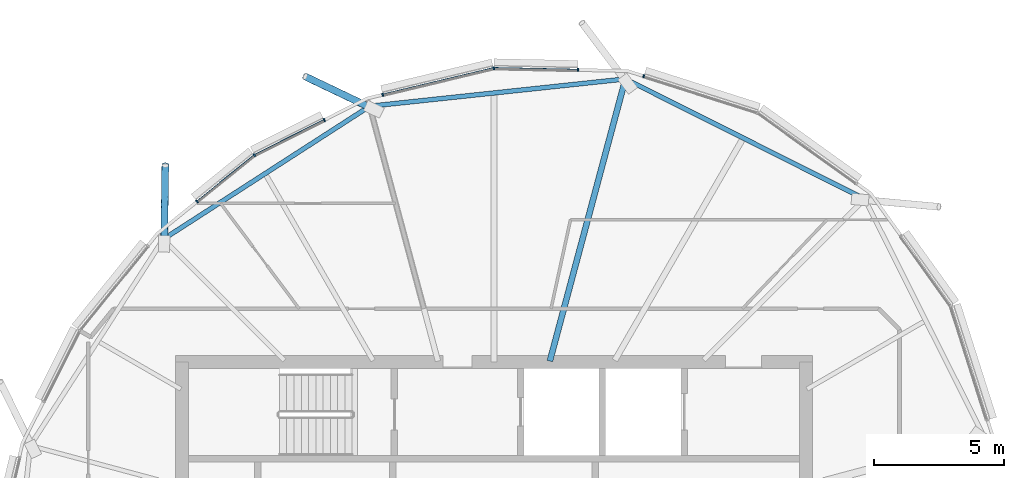
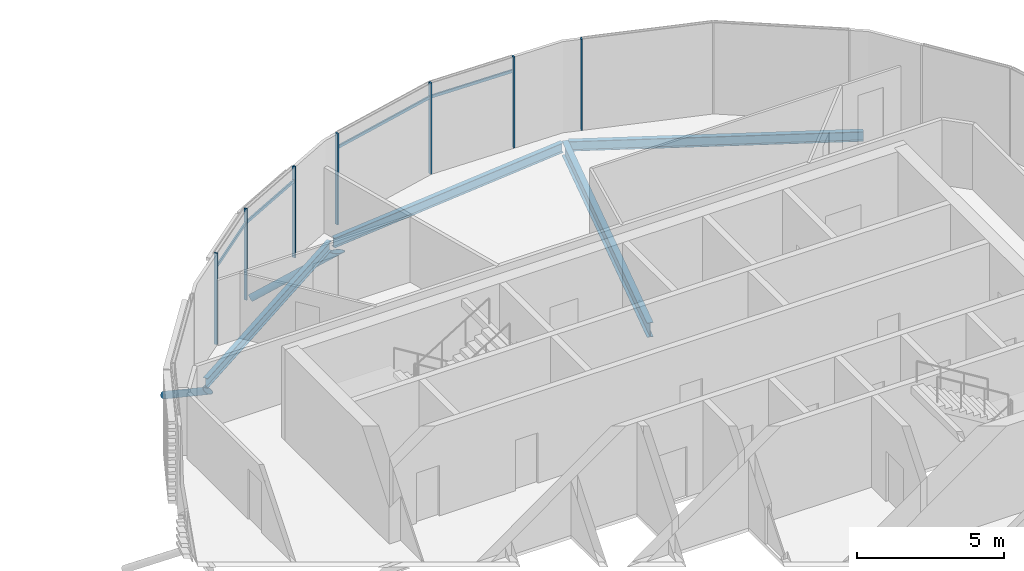
# One storey, part 14 of 33: 13 members, 4 beams, 1 element without a shape of its own.
"""IFC4 building model written with IfcOpenShell, lengths in metres."""

from ifc_helpers import new_model, si_unit, direction, frame, origin, origin_2d, place, context, subcontext, project, spatial, rectangle, hollow_circle, i_section, extrude, clip, halfspace, material, material_profile, profile_set, type_object, element, aggregate, save


model = new_model("IFC4")

# Units and contexts
model_context = context("Model", 3, precision=1e-05, world=origin(), true_north=direction((0.0, 1.0)))
body_context = subcontext(model_context, "Body", "Model", "MODEL_VIEW")
ifc_project = project(units=[si_unit("LENGTHUNIT", "METRE"), si_unit("AREAUNIT", "SQUARE_METRE"), si_unit("VOLUMEUNIT", "CUBIC_METRE"), si_unit("PLANEANGLEUNIT", "RADIAN"), si_unit("MASSUNIT", "GRAM", prefix="KILO")], contexts=[model_context])

# Site, building, storey
site_placement = place(None, origin())
site = spatial("IfcSite", under=ifc_project, at=site_placement, CompositionType="ELEMENT")
building_placement = place(site_placement, origin())
building = spatial("IfcBuilding", under=site, at=building_placement, Name="Rimbun Link Towers", CompositionType="ELEMENT")
storey_placement = place(building_placement, frame((0.0, 0.0, 240.89990234375)))
storey = spatial("IfcBuildingStorey", under=building, at=storey_placement, Name="L59", CompositionType="ELEMENT", Elevation=240.89990234375)

# Curtain wall, members
ifc_material_1 = material(Name="Aluminium 6063-T6 and low-iron glass", Category="aluminium")
curtain_wall_type = type_object("IfcCurtainWallType", Name="CW1-Z4 unitised vision wall (zone 4)", PredefinedType="NOTDEFINED", material=ifc_material_1)
curtain_wall_placement = place(storey_placement, origin())
curtain_wall = element("IfcCurtainWall", 1, at=curtain_wall_placement, inside=storey, type_object=curtain_wall_type, Name="CW1 L59 T2", PredefinedType="NOTDEFINED")
ifc_material_2 = material(Name="Aluminium 6063-T6", Category="aluminium")
ifc_material_profile_1 = material_profile(ifc_material_2, rectangle(XDim=0.1201171875, YDim=0.06005859375, at=origin_2d()), Name="MULLION 60X120")
ifc_profile_set_1 = profile_set([ifc_material_profile_1], Name="Aluminium 6063-T6")
member_type_1 = type_object("IfcMemberType", Name="CW1 mullion 60X120", PredefinedType="MULLION", material=ifc_profile_set_1)
member_1_placement = place(storey_placement, frame((37.513427734375, 18.990478515625, 0.0), z_axis=(0.0, 0.0, 1.0), x_axis=(0.303071511559, 0.952967816288, 0.0)))
member_1 = element("IfcMember", 2, at=member_1_placement, type_object=member_type_1, Name="CW1 mullion", PredefinedType="MULLION", context=body_context, shape_type="SweptSolid", body=[
    extrude(rectangle(XDim=0.1201171875, YDim=0.06005859375, at=origin_2d()), origin(), (0.0, 0.0, 1.0), 3.800048828125),
])
member_2_placement = place(storey_placement, frame((31.74365234375, 19.2978515625, 0.0), z_axis=(0.0, 0.0, 1.0), x_axis=(-0.106640247566, 0.994297670519, 0.0)))
member_2 = element("IfcMember", 3, at=member_2_placement, type_object=member_type_1, Name="CW1 mullion", PredefinedType="MULLION", context=body_context, shape_type="SweptSolid", body=[
    extrude(rectangle(XDim=0.1201171875, YDim=0.06005859375, at=origin_2d()), origin(), (0.0, 0.0, 1.0), 3.800048828125),
])
member_3_placement = place(storey_placement, frame((34.9775390625, 19.230224609375, 0.0), z_axis=(0.0, 0.0, 1.0), x_axis=(0.021064795684, 0.999778112574, 0.0)))
member_3 = element("IfcMember", 4, at=member_3_placement, type_object=member_type_1, Name="CW1 mullion", PredefinedType="MULLION", context=body_context, shape_type="SweptSolid", body=[
    extrude(rectangle(XDim=0.1201171875, YDim=0.06005859375, at=origin_2d()), origin(), (0.0, 0.0, 1.0), 3.800048828125),
])
member_4_placement = place(storey_placement, frame((27.47509765625, 18.277587890625, 0.0), z_axis=(0.0, 0.0, 1.0), x_axis=(-0.23260293703, 0.972571783307, 0.0)))
member_4 = element("IfcMember", 5, at=member_4_placement, type_object=member_type_1, Name="CW1 mullion", PredefinedType="MULLION", context=body_context, shape_type="SweptSolid", body=[
    extrude(rectangle(XDim=0.1201171875, YDim=0.06005859375, at=origin_2d()), origin(), (0.0, 0.0, 1.0), 3.800048828125),
])
member_5_placement = place(storey_placement, frame((22.536376953125, 15.952392578125, 0.0), z_axis=(0.0, 0.0, 1.0), x_axis=(-0.542094623862, 0.840317451193, 0.0)))
member_5 = element("IfcMember", 6, at=member_5_placement, type_object=member_type_1, Name="CW1 mullion", PredefinedType="MULLION", context=body_context, shape_type="SweptSolid", body=[
    extrude(rectangle(XDim=0.1201171875, YDim=0.06005859375, at=origin_2d()), origin(), (0.0, 0.0, 1.0), 3.800048828125),
])
member_6_placement = place(storey_placement, frame((25.225341796875, 17.302978515625, 0.0), z_axis=(0.0, 0.0, 1.0), x_axis=(-0.448779041213, 0.893642754219, 0.0)))
member_6 = element("IfcMember", 7, at=member_6_placement, type_object=member_type_1, Name="CW1 mullion", PredefinedType="MULLION", context=body_context, shape_type="SweptSolid", body=[
    extrude(rectangle(XDim=0.1201171875, YDim=0.06005859375, at=origin_2d()), origin(), (0.0, 0.0, 1.0), 3.800048828125),
])
member_7_placement = place(storey_placement, frame((20.33251953125, 14.1689453125, 0.0), z_axis=(0.0, 0.0, 1.0), x_axis=(-0.629148262313, 0.777285317003, 0.0)))
member_7 = element("IfcMember", 8, at=member_7_placement, type_object=member_type_1, Name="CW1 mullion", PredefinedType="MULLION", context=body_context, shape_type="SweptSolid", body=[
    extrude(rectangle(XDim=0.1201171875, YDim=0.06005859375, at=origin_2d()), origin(), (0.0, 0.0, 1.0), 3.800048828125),
])
ifc_material_3 = material(Name="Aluminium 6063-T6", Category="aluminium")
ifc_material_profile_2 = material_profile(ifc_material_3, rectangle(XDim=0.06005859375, YDim=0.1201171875, at=origin_2d()), Name="TRANSOM 60X120")
ifc_profile_set_2 = profile_set([ifc_material_profile_2], Name="Aluminium 6063-T6")
member_type_2 = type_object("IfcMemberType", Name="CW1 transom 60X120", PredefinedType="USERDEFINED", material=ifc_profile_set_2)
member_8_placement = place(storey_placement, frame((31.78125, 19.295654296875, 3.2001953125), z_axis=(0.999778518214, -0.021045534388, 0.0), x_axis=(0.021045534388, 0.999778518214, 0.0)))
member_8 = element("IfcMember", 9, at=member_8_placement, type_object=member_type_2, Name="CW1 transom", ObjectType="TRANSOM", PredefinedType="USERDEFINED", context=body_context, shape_type="SweptSolid", body=[
    extrude(rectangle(XDim=0.06005859375, YDim=0.1201171875, at=origin_2d()), origin(), (0.0, 0.0, 1.0), 3.1669921875),
])
member_9_placement = place(storey_placement, frame((27.5048828125, 18.28271484375, 3.2001953125), z_axis=(0.972568054955, 0.232618525664, 0.0), x_axis=(-0.232618525664, 0.972568054955, 0.0)))
member_9 = element("IfcMember", 10, at=member_9_placement, type_object=member_type_2, Name="CW1 transom", ObjectType="TRANSOM", PredefinedType="USERDEFINED", context=body_context, shape_type="SweptSolid", body=[
    extrude(rectangle(XDim=0.06005859375, YDim=0.1201171875, at=origin_2d()), origin(), (0.0, 0.0, 1.0), 4.321044921875),
])
member_10_placement = place(storey_placement, frame((22.56982421875, 15.96728515625, 3.2001953125), z_axis=(0.893645933823, 0.448772709688, 0.0), x_axis=(-0.448772709688, 0.893645933823, 0.0)))
member_10 = element("IfcMember", 11, at=member_10_placement, type_object=member_type_2, Name="CW1 transom", ObjectType="TRANSOM", PredefinedType="USERDEFINED", context=body_context, shape_type="SweptSolid", body=[
    extrude(rectangle(XDim=0.06005859375, YDim=0.1201171875, at=origin_2d()), origin(), (0.0, 0.0, 1.0), 2.942626953125),
])
member_11_placement = place(storey_placement, frame((20.357177734375, 14.186279296875, 3.2001953125), z_axis=(0.777285938092, 0.629147494984, 0.0), x_axis=(-0.629147494984, 0.777285938092, 0.0)))
member_11 = element("IfcMember", 12, at=member_11_placement, type_object=member_type_2, Name="CW1 transom", ObjectType="TRANSOM", PredefinedType="USERDEFINED", context=body_context, shape_type="SweptSolid", body=[
    extrude(rectangle(XDim=0.06005859375, YDim=0.1201171875, at=origin_2d()), origin(), (0.0, 0.0, 1.0), 2.768798828125),
])
aggregate(curtain_wall, [member_1, member_2, member_3, member_4, member_5, member_6, member_7, member_8, member_9, member_10, member_11])

# Members
ifc_material_4 = material(Name="Steel S355J2H", Category="steel")
ifc_material_profile_3 = material_profile(ifc_material_4, hollow_circle(Radius=0.136474609375, WallThickness=0.012451171875, at=origin_2d()), Name="CHS 273x12.5")
ifc_profile_set_3 = profile_set([ifc_material_profile_3], Name="Steel S355J2H")
member_type_3 = type_object("IfcMemberType", Name="Floor edge link CHS 273x12.5", PredefinedType="BRACE", material=ifc_profile_set_3)
member_12_placement = place(storey_placement, frame((26.984619140625, 17.784912109375, -0.7900390625), z_axis=(-0.774026012847, 0.369881190421, -0.513879009504), x_axis=(-0.431165969332, -0.902272634457, 0.0)))
element("IfcMember", 13, at=member_12_placement, inside=storey, type_object=member_type_3, Name="Floor edge link T2 L59 04", PredefinedType="BRACE", context=body_context, shape_type="Clipping", body=[
    clip(extrude(hollow_circle(Radius=0.136474609375, WallThickness=0.012451171875, at=origin_2d()), frame((0.0, 0.0, -0.47509765625)), (0.0, 0.0, 1.0), 3.710205078125), halfspace(frame((0.0, 0.0, -0.223876953125), z_axis=(0.0, 0.857862671755, -0.513879009504)), False)),
])
member_13_placement = place(storey_placement, frame((19.067626953125, 12.682373046875, -0.6083984375), z_axis=(0.012567175596, 0.829992130442, -0.55763350823), x_axis=(-0.999885389936, 0.01513958363, 0.0)))
element("IfcMember", 14, at=member_13_placement, inside=storey, type_object=member_type_3, Name="Floor edge link T2 L59 06", PredefinedType="BRACE", context=body_context, shape_type="Clipping", body=[
    clip(extrude(hollow_circle(Radius=0.136474609375, WallThickness=0.012451171875, at=origin_2d()), frame((0.0, 0.0, -0.42431640625)), (0.0, 0.0, 1.0), 3.921142578125), halfspace(frame((0.0, 0.0, -0.199951171875), z_axis=(0.0, 0.830087266797, -0.55763350823)), False)),
])

# Beams
ifc_material_5 = material(Name="Steel S355J2", Category="steel")
ifc_material_profile_4 = material_profile(ifc_material_5, i_section(OverallWidth=0.177978515625, OverallDepth=0.406494140625, WebThickness=0.0078125, FlangeThickness=0.0126953125, at=origin_2d()), Name="UB 406x178x60")
ifc_profile_set_4 = profile_set([ifc_material_profile_4], Name="Steel S355J2")
beam_type_1 = type_object("IfcBeamType", Name="UB 406x178x60", PredefinedType="BEAM", material=ifc_profile_set_4)
beam_1_placement = place(storey_placement, frame((45.92333984375, 14.30908203125, -0.343017578125), z_axis=(-0.893815980097, 0.448433934625, 0.0), x_axis=(-0.448433934625, -0.893815980097, 0.0)))
element("IfcBeam", 15, at=beam_1_placement, inside=storey, type_object=beam_type_1, Name="Edge beam T2 L59 00-02", PredefinedType="BEAM", context=body_context, shape_type="SweptSolid", body=[
    extrude(i_section(OverallWidth=0.177978515625, OverallDepth=0.406494140625, WebThickness=0.0078125, FlangeThickness=0.0126953125, at=origin_2d()), origin(), (0.0, 0.0, 1.0), 10.07958984375),
])
beam_2_placement = place(storey_placement, frame((36.68701171875, 18.86865234375, -0.343017578125), z_axis=(-0.994367972289, -0.105982714087, 0.0), x_axis=(0.105982714087, -0.994367972289, 0.0)))
element("IfcBeam", 16, at=beam_2_placement, inside=storey, type_object=beam_type_1, Name="Edge beam T2 L59 02-04", PredefinedType="BEAM", context=body_context, shape_type="SweptSolid", body=[
    extrude(i_section(OverallWidth=0.177978515625, OverallDepth=0.406494140625, WebThickness=0.0078125, FlangeThickness=0.0126953125, at=origin_2d()), origin(), (0.0, 0.0, 1.0), 9.66357421875),
])
beam_3_placement = place(storey_placement, frame((26.87841796875, 17.77294921875, -0.343017578125), z_axis=(-0.84061859569, -0.541627525685, 0.0), x_axis=(0.541627525685, -0.84061859569, 0.0)))
element("IfcBeam", 17, at=beam_3_placement, inside=storey, type_object=beam_type_1, Name="Edge beam T2 L59 04-06", PredefinedType="BEAM", context=body_context, shape_type="SweptSolid", body=[
    extrude(i_section(OverallWidth=0.177978515625, OverallDepth=0.406494140625, WebThickness=0.0078125, FlangeThickness=0.0126953125, at=origin_2d()), origin(), (0.0, 0.0, 1.0), 9.244873046875),
])
ifc_material_6 = material(Name="Steel S355J2", Category="steel")
ifc_material_profile_5 = material_profile(ifc_material_6, i_section(OverallWidth=0.2275390625, OverallDepth=0.6025390625, WebThickness=0.010498046875, FlangeThickness=0.014892578125, at=origin_2d()), Name="UB 610x229x101")
ifc_profile_set_5 = profile_set([ifc_material_profile_5], Name="Steel S355J2")
beam_type_2 = type_object("IfcBeamType", Name="UB 610x229x101", PredefinedType="BEAM", material=ifc_profile_set_5)
beam_4_placement = place(storey_placement, frame((33.901611328125, 8.030517578125, -0.441162109375), z_axis=(0.258833850967, 0.965921858948, 0.0), x_axis=(-0.965921858948, 0.258833850967, 0.0)))
element("IfcBeam", 18, at=beam_4_placement, inside=storey, type_object=beam_type_2, Name="Radial beam T2 L59 02", PredefinedType="BEAM", context=body_context, shape_type="SweptSolid", body=[
    extrude(i_section(OverallWidth=0.2275390625, OverallDepth=0.6025390625, WebThickness=0.010498046875, FlangeThickness=0.014892578125, at=origin_2d()), origin(), (0.0, 0.0, 1.0), 11.23388671875),
])

save(model, "model.ifc")
